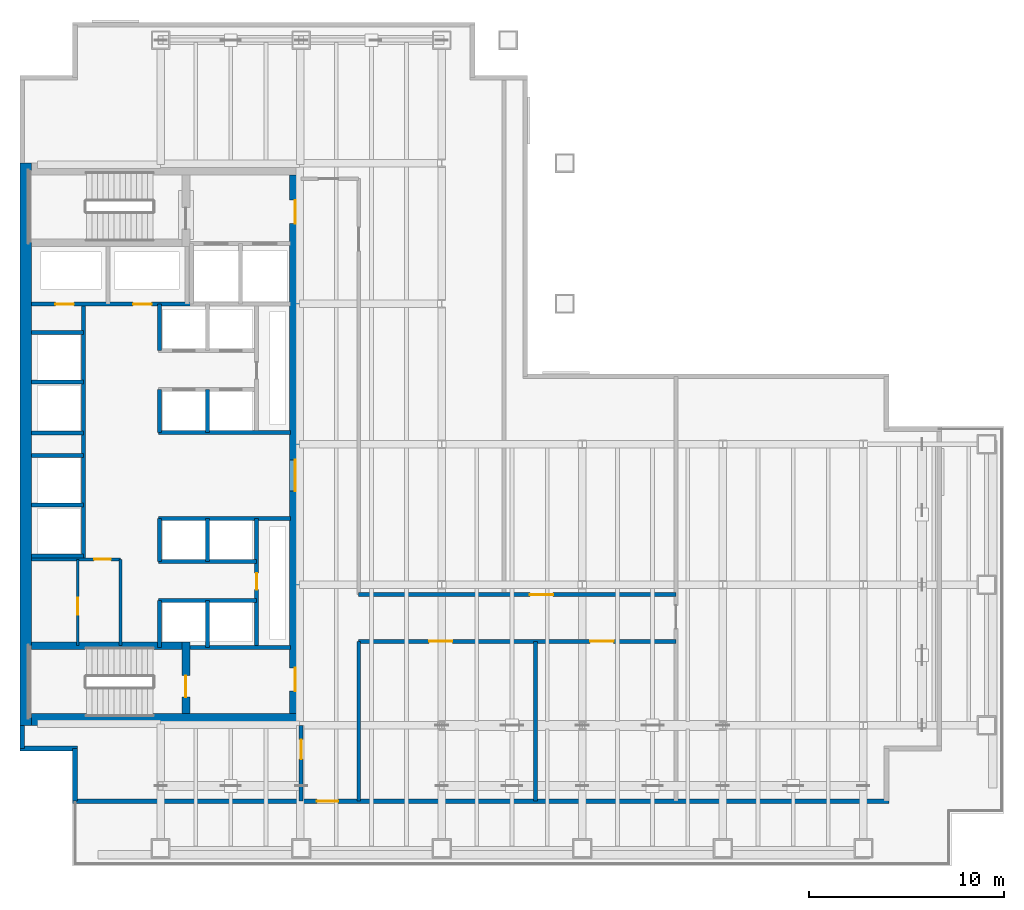
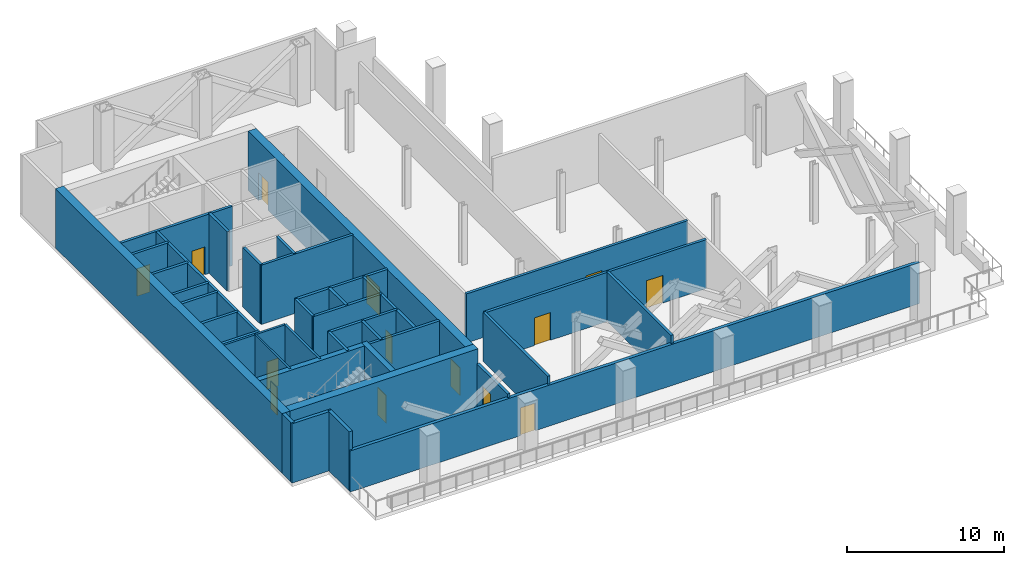
# One storey, part 5 of 9: 38 walls, 14 doors, 14 openings.
"""IFC4 building model written with IfcOpenShell, lengths in metres."""

from ifc_helpers import new_model, si_unit, direction, frame, frame_2d, origin, place, context, subcontext, project, spatial, rectangle, extrude, material, layer, layer_set, type_object, element, fill, save


model = new_model("IFC4")

# Units and contexts
model_context = context("Model", 3, precision=1e-05, world=origin(), true_north=direction((0.0, 1.0)))
body_context = subcontext(model_context, "Body", "Model", "MODEL_VIEW")
ifc_project = project(units=[si_unit("LENGTHUNIT", "METRE"), si_unit("AREAUNIT", "SQUARE_METRE"), si_unit("VOLUMEUNIT", "CUBIC_METRE"), si_unit("PLANEANGLEUNIT", "RADIAN"), si_unit("MASSUNIT", "GRAM", prefix="KILO")], contexts=[model_context])

# Site, building, storey
site_placement = place(None, origin())
site = spatial("IfcSite", under=ifc_project, at=site_placement, CompositionType="ELEMENT")
building_placement = place(site_placement, origin())
building = spatial("IfcBuilding", under=site, at=building_placement, Name="Cobrela Telecom Tower", CompositionType="ELEMENT")
storey_placement = place(building_placement, frame((0.0, 0.0, 92.75)))
storey = spatial("IfcBuildingStorey", under=building, at=storey_placement, Name="L23", CompositionType="ELEMENT", Elevation=92.75)

# Walls
ifc_material_1 = material(Name="Concrete C50/60", Category="concrete")
ifc_layer_1 = layer(ifc_material_1, 0.60009765625)
ifc_layer_set_1 = layer_set([ifc_layer_1], Name="Concrete C50/60")
wall_type_1 = type_object("IfcWallType", Name="WALL-CORE-C50-600", PredefinedType="SHEAR", material=ifc_layer_set_1)
wall_1_placement = place(storey_placement, frame((0.300048828125, 7.199951171875, 0.0), z_axis=(0.0, 0.0, 1.0), x_axis=(0.0, 1.0, 0.0)))
element("IfcWall", 1, at=wall_1_placement, inside=storey, type_object=wall_type_1, Name="L23 West Core Shear Wall", PredefinedType="SHEAR", context=body_context, shape_type="SweptSolid", body=[
    extrude(rectangle(XDim=28.800048828125, YDim=0.60009765625, at=frame_2d((14.39990234375, 0.0))), origin(), (0.0, 0.0, 1.0), 4.60009765625),
])
wall_2_placement = place(storey_placement, frame((0.60009765625, 7.5, 0.0), z_axis=(0.0, 0.0, 1.0), x_axis=(1.0, 0.0, 0.0)))
element("IfcWall", 2, at=wall_2_placement, inside=storey, type_object=wall_type_1, Name="L23 South Core Shear Wall", PredefinedType="SHEAR", context=body_context, shape_type="SweptSolid", body=[
    extrude(rectangle(XDim=13.7998046875, YDim=0.60009765625, at=frame_2d((6.89990234375, 0.0))), origin(), (0.0, 0.0, 1.0), 4.60009765625),
])

# Wall, openings, doors
wall_3_placement = place(storey_placement, frame((14.10009765625, 35.39990234375, 0.0), z_axis=(0.0, 0.0, 1.0), x_axis=(0.0, -1.0, 0.0)))
wall_3 = element("IfcWall", 3, at=wall_3_placement, inside=storey, type_object=wall_type_1, Name="L23 East Core Shear Wall", PredefinedType="SHEAR", context=body_context, shape_type="SweptSolid", body=[
    extrude(rectangle(XDim=27.599853515625, YDim=0.60009765625, at=frame_2d((13.7998046875, 0.0))), origin(), (0.0, 0.0, 1.0), 4.60009765625),
])
opening_1_placement = place(wall_3_placement, frame((1.300048828125, 0.0, 0.0)))
opening_1 = element("IfcOpeningElement", 4, at=opening_1_placement, cuts=wall_3, Name="Opening DR-19", PredefinedType="OPENING", context=body_context, shape_type="SweptSolid", body=[
    extrude(rectangle(XDim=1.199951171875, YDim=2.14990234375, at=frame_2d((0.60009765625, 1.074951171875))), frame((0.0, 0.31201171875, 0.0), z_axis=(0.0, -1.0, 0.0), x_axis=(1.0, 0.0, 0.0)), (0.0, 0.0, 1.0), 0.6240234375),
])
opening_2_placement = place(wall_3_placement, frame((25.25, 0.0, 0.0)))
opening_2 = element("IfcOpeningElement", 5, at=opening_2_placement, cuts=wall_3, Name="Opening DR-19", PredefinedType="OPENING", context=body_context, shape_type="SweptSolid", body=[
    extrude(rectangle(XDim=1.199951171875, YDim=2.14990234375, at=frame_2d((0.60009765625, 1.074951171875))), frame((0.0, 0.31201171875, 0.0), z_axis=(0.0, -1.0, 0.0), x_axis=(1.0, 0.0, 0.0)), (0.0, 0.0, 1.0), 0.6240234375),
])
opening_3_placement = place(wall_3_placement, frame((14.60009765625, 0.0, 0.0)))
opening_3 = element("IfcOpeningElement", 6, at=opening_3_placement, cuts=wall_3, Name="Opening DR-51", PredefinedType="OPENING", context=body_context, shape_type="SweptSolid", body=[
    extrude(rectangle(XDim=1.60009765625, YDim=2.199951171875, at=frame_2d((0.800048828125, 1.10009765625))), frame((0.0, 0.31201171875, 0.0), z_axis=(0.0, -1.0, 0.0), x_axis=(1.0, 0.0, 0.0)), (0.0, 0.0, 1.0), 0.6240234375),
])
ifc_material_2 = material(Name="Steel ASTM A36", Category="steel")
door_type_1 = type_object("IfcDoorType", Name="DOOR-FD60-1200", OperationType="SINGLE_SWING_LEFT", PredefinedType="DOOR", material=ifc_material_2)
door_1_placement = place(opening_1_placement, origin())
door_1 = element("IfcDoor", 7, at=door_1_placement, inside=storey, type_object=door_type_1, Name="L23 Door DR-19", OperationType="SINGLE_SWING_LEFT", OverallHeight=2.14990234375, OverallWidth=1.199951171875, PredefinedType="DOOR", context=body_context, shape_type="SweptSolid", body=[
    extrude(rectangle(XDim=1.199951171875, YDim=2.14990234375, at=frame_2d((0.60009765625, 1.074951171875))), frame((0.0, 0.02490234375, 0.0), z_axis=(0.0, -1.0, 0.0), x_axis=(1.0, 0.0, 0.0)), (0.0, 0.0, 1.0), 0.050048828125),
])
fill(opening_1, door_1)
door_2_placement = place(opening_2_placement, origin())
door_2 = element("IfcDoor", 8, at=door_2_placement, inside=storey, type_object=door_type_1, Name="L23 Door DR-19", OperationType="SINGLE_SWING_RIGHT", OverallHeight=2.14990234375, OverallWidth=1.199951171875, PredefinedType="DOOR", context=body_context, shape_type="SweptSolid", body=[
    extrude(rectangle(XDim=1.199951171875, YDim=2.14990234375, at=frame_2d((0.60009765625, 1.074951171875))), frame((0.0, 0.02490234375, 0.0), z_axis=(0.0, -1.0, 0.0), x_axis=(1.0, 0.0, 0.0)), (0.0, 0.0, 1.0), 0.050048828125),
])
fill(opening_2, door_2)
door_type_2 = type_object("IfcDoorType", Name="DOOR-FD60-1600", OperationType="SINGLE_SWING_LEFT", PredefinedType="DOOR", material=ifc_material_2)
door_3_placement = place(opening_3_placement, origin())
door_3 = element("IfcDoor", 9, at=door_3_placement, inside=storey, type_object=door_type_2, Name="L23 Door DR-51", OperationType="DOUBLE_DOOR_SINGLE_SWING", OverallHeight=2.199951171875, OverallWidth=1.60009765625, PredefinedType="DOOR", context=body_context, shape_type="SweptSolid", body=[
    extrude(rectangle(XDim=1.60009765625, YDim=2.199951171875, at=frame_2d((0.800048828125, 1.10009765625))), frame((0.0, 0.02490234375, 0.0), z_axis=(0.0, -1.0, 0.0), x_axis=(1.0, 0.0, 0.0)), (0.0, 0.0, 1.0), 0.050048828125),
])
fill(opening_3, door_3)

# Walls
ifc_material_3 = material(Name="Concrete C40/50", Category="concrete")
ifc_layer_2 = layer(ifc_material_3, 0.239990234375)
ifc_layer_set_2 = layer_set([ifc_layer_2], Name="Concrete C40/50")
wall_type_2 = type_object("IfcWallType", Name="WALL-EXT-300", PredefinedType="STANDARD", material=ifc_layer_set_2)
wall_4_placement = place(storey_placement, frame((2.820068359375, 3.320068359375, 0.0), z_axis=(0.0, 0.0, 1.0), x_axis=(0.0, 1.0, 0.0)))
element("IfcWall", 10, at=wall_4_placement, inside=storey, type_object=wall_type_2, Name="L23 Plant Acoustic Exterior Wall 01", PredefinedType="STANDARD", context=body_context, shape_type="SweptSolid", body=[
    extrude(rectangle(XDim=2.699951171875, YDim=0.239990234375, at=frame_2d((1.35009765625, 0.0))), origin(), (0.0, 0.0, 1.0), 4.60009765625),
])
wall_5_placement = place(storey_placement, frame((2.93994140625, 6.02001953125, 0.0), z_axis=(0.0, 0.0, 1.0), x_axis=(-1.0, 0.0, 0.0)))
element("IfcWall", 11, at=wall_5_placement, inside=storey, type_object=wall_type_2, Name="L23 Plant Acoustic Exterior Wall 02", PredefinedType="STANDARD", context=body_context, shape_type="SweptSolid", body=[
    extrude(rectangle(XDim=2.93994140625, YDim=0.239990234375, at=frame_2d((1.469970703125, 0.0))), origin(), (0.0, 0.0, 1.0), 4.60009765625),
])
wall_6_placement = place(storey_placement, frame((0.1201171875, 6.02001953125, 0.0), z_axis=(0.0, 0.0, 1.0), x_axis=(0.0, 1.0, 0.0)))
element("IfcWall", 12, at=wall_6_placement, inside=storey, type_object=wall_type_2, Name="L23 Plant Acoustic Exterior Wall 03", PredefinedType="STANDARD", context=body_context, shape_type="SweptSolid", body=[
    extrude(rectangle(XDim=1.179931640625, YDim=0.239990234375, at=frame_2d((0.58984375, 0.0))), origin(), (0.0, 0.0, 1.0), 4.60009765625),
])

# Wall, opening, door
wall_7_placement = place(storey_placement, frame((44.5, 3.320068359375, 0.0), z_axis=(0.0, 0.0, 1.0), x_axis=(-1.0, 0.0, 0.0)))
wall_7 = element("IfcWall", 13, at=wall_7_placement, inside=storey, type_object=wall_type_2, Name="L23 Plant Acoustic Exterior Wall 17", PredefinedType="STANDARD", context=body_context, shape_type="SweptSolid", body=[
    extrude(rectangle(XDim=41.800048828125, YDim=0.239990234375, at=frame_2d((20.89990234375, 0.0))), origin(), (0.0, 0.0, 1.0), 3.18505859375),
])
opening_4_placement = place(wall_7_placement, frame((28.199951171875, 0.0, 0.0)))
opening_4 = element("IfcOpeningElement", 14, at=opening_4_placement, cuts=wall_7, Name="Opening ED-3", PredefinedType="OPENING", context=body_context, shape_type="SweptSolid", body=[
    extrude(rectangle(XDim=1.10009765625, YDim=2.14990234375, at=frame_2d((0.550048828125, 1.074951171875))), frame((0.0, 0.1318359375, 0.0), z_axis=(0.0, -1.0, 0.0), x_axis=(1.0, 0.0, 0.0)), (0.0, 0.0, 1.0), 0.263916015625),
])
ifc_material_4 = material(Name="Anodized Bronze Aluminium 6063-T6", Category="aluminium")
door_type_3 = type_object("IfcDoorType", Name="DOOR-EXT-1100", OperationType="SINGLE_SWING_LEFT", PredefinedType="DOOR", material=ifc_material_4)
door_4_placement = place(opening_4_placement, origin())
door_4 = element("IfcDoor", 15, at=door_4_placement, inside=storey, type_object=door_type_3, Name="L23 Door ED-3", OperationType="SINGLE_SWING_LEFT", OverallHeight=2.14990234375, OverallWidth=1.10009765625, PredefinedType="DOOR", context=body_context, shape_type="SweptSolid", body=[
    extrude(rectangle(XDim=1.10009765625, YDim=2.14990234375, at=frame_2d((0.550048828125, 1.074951171875))), frame((0.0, 0.02490234375, 0.0), z_axis=(0.0, -1.0, 0.0), x_axis=(1.0, 0.0, 0.0)), (0.0, 0.0, 1.0), 0.050048828125),
])
fill(opening_4, door_4)

ifc_material_5 = material(Name="Fire-Rated Gypsum Plasterboard")
ifc_layer_3 = layer(ifc_material_5, 0.125)
ifc_layer_set_3 = layer_set([ifc_layer_3], Name="Fire-Rated Gypsum Plasterboard")
wall_type_3 = type_object("IfcWallType", Name="WALL-PART-125", PredefinedType="PARTITIONING", material=ifc_layer_set_3)
wall_8_placement = place(storey_placement, frame((2.949951171875, 11.280029296875, 0.0), z_axis=(0.0, 0.0, 1.0), x_axis=(0.0, 1.0, 0.0)))
wall_8 = element("IfcWall", 16, at=wall_8_placement, inside=storey, type_object=wall_type_3, Name="L23 Interior Partition CW-FK1-V", PredefinedType="PARTITIONING", context=body_context, shape_type="SweptSolid", body=[
    extrude(rectangle(XDim=4.419921875, YDim=0.125, at=frame_2d((2.2099609375, 0.0))), origin(), (0.0, 0.0, 1.0), 4.60009765625),
])
opening_5_placement = place(wall_8_placement, frame((1.60009765625, 0.0, 0.0)))
opening_5 = element("IfcOpeningElement", 17, at=opening_5_placement, cuts=wall_8, Name="Opening DR-11", PredefinedType="OPENING", context=body_context, shape_type="SweptSolid", body=[
    extrude(rectangle(XDim=0.85009765625, YDim=2.14990234375, at=frame_2d((0.425048828125, 1.074951171875))), frame((0.0, 0.074462890625, 0.0), z_axis=(0.0, -1.0, 0.0), x_axis=(1.0, 0.0, 0.0)), (0.0, 0.0, 1.0), 0.14892578125),
])
ifc_material_6 = material(Name="Solid Engineered Oak Timber", Category="wood")
door_type_4 = type_object("IfcDoorType", Name="DOOR-INT-850", OperationType="SINGLE_SWING_LEFT", PredefinedType="DOOR", material=ifc_material_6)
door_5_placement = place(opening_5_placement, origin())
door_5 = element("IfcDoor", 18, at=door_5_placement, inside=storey, type_object=door_type_4, Name="L23 Door DR-11", OperationType="SINGLE_SWING_RIGHT", OverallHeight=2.14990234375, OverallWidth=0.85009765625, PredefinedType="DOOR", context=body_context, shape_type="SweptSolid", body=[
    extrude(rectangle(XDim=0.85009765625, YDim=2.14990234375, at=frame_2d((0.425048828125, 1.074951171875))), frame((0.0, 0.02490234375, 0.0), z_axis=(0.0, -1.0, 0.0), x_axis=(1.0, 0.0, 0.0)), (0.0, 0.0, 1.0), 0.050048828125),
])
fill(opening_5, door_5)

# Wall
ifc_layer_4 = layer(ifc_material_5, 0.14990234375)
ifc_layer_set_4 = layer_set([ifc_layer_4], Name="Fire-Rated Gypsum Plasterboard")
wall_type_4 = type_object("IfcWallType", Name="WALL-PART-150", PredefinedType="PARTITIONING", material=ifc_layer_set_4)
wall_9_placement = place(storey_placement, frame((5.14990234375, 11.280029296875, 0.0), z_axis=(0.0, 0.0, 1.0), x_axis=(0.0, 1.0, 0.0)))
element("IfcWall", 19, at=wall_9_placement, inside=storey, type_object=wall_type_4, Name="L23 Interior Partition CW-FLEX-E", PredefinedType="PARTITIONING", context=body_context, shape_type="SweptSolid", body=[
    extrude(rectangle(XDim=4.419921875, YDim=0.14990234375, at=frame_2d((2.2099609375, 0.0))), origin(), (0.0, 0.0, 1.0), 4.60009765625),
])

# Wall, opening, door
ifc_layer_5 = layer(ifc_material_5, 0.159912109375)
ifc_layer_set_5 = layer_set([ifc_layer_5], Name="Fire-Rated Gypsum Plasterboard")
wall_type_5 = type_object("IfcWallType", Name="WALL-PART-160", PredefinedType="PARTITIONING", material=ifc_layer_set_5)
wall_10_placement = place(storey_placement, frame((0.60009765625, 15.699951171875, 0.0), z_axis=(0.0, 0.0, 1.0), x_axis=(1.0, 0.0, 0.0)))
wall_10 = element("IfcWall", 20, at=wall_10_placement, inside=storey, type_object=wall_type_5, Name="L23 Interior Partition CW-FLEX-N", PredefinedType="PARTITIONING", context=body_context, shape_type="SweptSolid", body=[
    extrude(rectangle(XDim=4.5498046875, YDim=0.159912109375, at=frame_2d((2.27490234375, 0.0))), origin(), (0.0, 0.0, 1.0), 4.60009765625),
])
opening_6_placement = place(wall_10_placement, frame((3.199951171875, 0.0, 0.0)))
opening_6 = element("IfcOpeningElement", 21, at=opening_6_placement, cuts=wall_10, Name="Opening DR-11", PredefinedType="OPENING", context=body_context, shape_type="SweptSolid", body=[
    extrude(rectangle(XDim=0.85009765625, YDim=2.14990234375, at=frame_2d((0.425048828125, 1.074951171875))), frame((0.0, 0.091796875, 0.0), z_axis=(0.0, -1.0, 0.0), x_axis=(1.0, 0.0, 0.0)), (0.0, 0.0, 1.0), 0.183837890625),
])
door_6_placement = place(opening_6_placement, origin())
door_6 = element("IfcDoor", 22, at=door_6_placement, inside=storey, type_object=door_type_4, Name="L23 Door DR-11", OperationType="SINGLE_SWING_LEFT", OverallHeight=2.14990234375, OverallWidth=0.85009765625, PredefinedType="DOOR", context=body_context, shape_type="SweptSolid", body=[
    extrude(rectangle(XDim=0.85009765625, YDim=2.14990234375, at=frame_2d((0.425048828125, 1.074951171875))), frame((0.0, 0.02490234375, 0.0), z_axis=(0.0, -1.0, 0.0), x_axis=(1.0, 0.0, 0.0)), (0.0, 0.0, 1.0), 0.050048828125),
])
fill(opening_6, door_6)

# Wall
ifc_layer_6 = layer(ifc_material_5, 0.199951171875)
ifc_layer_set_6 = layer_set([ifc_layer_6], Name="Fire-Rated Gypsum Plasterboard")
wall_type_6 = type_object("IfcWallType", Name="WALL-SHAFT-200", PredefinedType="PARTITIONING", material=ifc_layer_set_6)
wall_11_placement = place(storey_placement, frame((8.699951171875, 11.199951171875, 0.0), z_axis=(0.0, 0.0, 1.0), x_axis=(1.0, 0.0, 0.0)))
element("IfcWall", 23, at=wall_11_placement, inside=storey, type_object=wall_type_6, Name="L23 Shaft Enclosure CW-ST2L-N", PredefinedType="PARTITIONING", context=body_context, shape_type="SweptSolid", body=[
    extrude(rectangle(XDim=5.150146484375, YDim=0.199951171875, at=frame_2d((2.5751953125, 0.0))), origin(), (0.0, 0.0, 1.0), 4.60009765625),
])

# Wall, openings, doors
wall_12_placement = place(storey_placement, frame((0.60009765625, 28.780029296875, 0.0), z_axis=(0.0, 0.0, 1.0), x_axis=(1.0, 0.0, 0.0)))
wall_12 = element("IfcWall", 24, at=wall_12_placement, inside=storey, type_object=wall_type_6, Name="L23 Shaft Enclosure CW-RIS-S", PredefinedType="PARTITIONING", context=body_context, shape_type="SweptSolid", body=[
    extrude(rectangle(XDim=8.179931640625, YDim=0.199951171875, at=frame_2d((4.08984375, 0.0))), origin(), (0.0, 0.0, 1.0), 4.60009765625),
])
opening_7_placement = place(wall_12_placement, frame((1.2099609375, 0.0, 0.0)))
opening_7 = element("IfcOpeningElement", 25, at=opening_7_placement, cuts=wall_12, Name="Opening DR-65", PredefinedType="OPENING", context=body_context, shape_type="SweptSolid", body=[
    extrude(rectangle(XDim=0.949951171875, YDim=2.14990234375, at=frame_2d((0.47509765625, 1.074951171875))), frame((0.0, 0.11181640625, 0.0), z_axis=(0.0, -1.0, 0.0), x_axis=(1.0, 0.0, 0.0)), (0.0, 0.0, 1.0), 0.223876953125),
])
opening_8_placement = place(wall_12_placement, frame((5.18994140625, 0.0, 0.0)))
opening_8 = element("IfcOpeningElement", 26, at=opening_8_placement, cuts=wall_12, Name="Opening DR-65", PredefinedType="OPENING", context=body_context, shape_type="SweptSolid", body=[
    extrude(rectangle(XDim=0.949951171875, YDim=2.14990234375, at=frame_2d((0.47509765625, 1.074951171875))), frame((0.0, 0.11181640625, 0.0), z_axis=(0.0, -1.0, 0.0), x_axis=(1.0, 0.0, 0.0)), (0.0, 0.0, 1.0), 0.223876953125),
])
door_type_5 = type_object("IfcDoorType", Name="DOOR-FD60-950", OperationType="SINGLE_SWING_LEFT", PredefinedType="DOOR", material=ifc_material_2)
door_7_placement = place(opening_7_placement, origin())
door_7 = element("IfcDoor", 27, at=door_7_placement, inside=storey, type_object=door_type_5, Name="L23 Door DR-65", OperationType="SINGLE_SWING_LEFT", OverallHeight=2.14990234375, OverallWidth=0.949951171875, PredefinedType="DOOR", context=body_context, shape_type="SweptSolid", body=[
    extrude(rectangle(XDim=0.949951171875, YDim=2.14990234375, at=frame_2d((0.47509765625, 1.074951171875))), frame((0.0, 0.02490234375, 0.0), z_axis=(0.0, -1.0, 0.0), x_axis=(1.0, 0.0, 0.0)), (0.0, 0.0, 1.0), 0.050048828125),
])
fill(opening_7, door_7)
door_8_placement = place(opening_8_placement, origin())
door_8 = element("IfcDoor", 28, at=door_8_placement, inside=storey, type_object=door_type_5, Name="L23 Door DR-65", OperationType="SINGLE_SWING_RIGHT", OverallHeight=2.14990234375, OverallWidth=0.949951171875, PredefinedType="DOOR", context=body_context, shape_type="SweptSolid", body=[
    extrude(rectangle(XDim=0.949951171875, YDim=2.14990234375, at=frame_2d((0.47509765625, 1.074951171875))), frame((0.0, 0.02490234375, 0.0), z_axis=(0.0, -1.0, 0.0), x_axis=(1.0, 0.0, 0.0)), (0.0, 0.0, 1.0), 0.050048828125),
])
fill(opening_8, door_8)

# Walls
wall_13_placement = place(storey_placement, frame((3.25, 15.699951171875, 0.0), z_axis=(0.0, 0.0, 1.0), x_axis=(0.0, 1.0, 0.0)))
element("IfcWall", 29, at=wall_13_placement, inside=storey, type_object=wall_type_6, Name="L23 Shaft Enclosure CW-PLH-E", PredefinedType="PARTITIONING", context=body_context, shape_type="SweptSolid", body=[
    extrude(rectangle(XDim=13.080078125, YDim=0.199951171875, at=frame_2d((6.5400390625, 0.0))), origin(), (0.0, 0.0, 1.0), 4.60009765625),
])
for number, where, z_axis, x_axis, name in (
    (30, (0.60009765625, 15.8798828125, 0.0), (0.0, 0.0, 1.0), (1.0, 0.0, 0.0), "L23 Shaft Enclosure CW-PLH-D9"),
    (31, (0.60009765625, 18.47998046875, 0.0), (0.0, 0.0, 1.0), (1.0, 0.0, 0.0), "L23 Shaft Enclosure CW-PLH-D10"),
    (32, (0.60009765625, 22.179931640625, 0.0), (0.0, 0.0, 1.0), (1.0, 0.0, 0.0), "L23 Shaft Enclosure CW-PLH-D11"),
    (33, (0.60009765625, 24.780029296875, 0.0), (0.0, 0.0, 1.0), (1.0, 0.0, 0.0), "L23 Shaft Enclosure CW-PLH-D12"),
    (34, (0.60009765625, 21.02001953125, 0.0), (0.0, 0.0, 1.0), (1.0, 0.0, 0.0), "L23 Shaft Enclosure CW-PLH-MID"),
    (35, (0.60009765625, 27.320068359375, 0.0), (0.0, 0.0, 1.0), (1.0, 0.0, 0.0), "L23 Shaft Enclosure CW-PLH-TOP"),
):
    element("IfcWall", number, at=place(storey_placement, frame(where, z_axis=z_axis, x_axis=x_axis)), inside=storey, type_object=wall_type_6, Name=name, PredefinedType="PARTITIONING", context=body_context, shape_type="SweptSolid", body=[
        extrude(rectangle(XDim=2.64990234375, YDim=0.199951171875, at=frame_2d((1.324951171875, 0.0))), origin(), (0.0, 0.0, 1.0), 4.60009765625),
    ])
wall_14_placement = place(storey_placement, frame((7.10009765625, 22.199951171875, 0.0), z_axis=(0.0, 0.0, 1.0), x_axis=(1.0, 0.0, 0.0)))
element("IfcWall", 36, at=wall_14_placement, inside=storey, type_object=wall_type_6, Name="L23 Shaft Enclosure CW-PLL-B0", PredefinedType="PARTITIONING", context=body_context, shape_type="SweptSolid", body=[
    extrude(rectangle(XDim=6.75, YDim=0.199951171875, at=frame_2d((3.375, 0.0))), origin(), (0.0, 0.0, 1.0), 4.60009765625),
])
wall_15_placement = place(storey_placement, frame((7.14990234375, 22.199951171875, 0.0), z_axis=(0.0, 0.0, 1.0), x_axis=(0.0, 1.0, 0.0)))
element("IfcWall", 37, at=wall_15_placement, inside=storey, type_object=wall_type_6, Name="L23 Shaft Enclosure CW-PLL-V1", PredefinedType="PARTITIONING", context=body_context, shape_type="SweptSolid", body=[
    extrude(rectangle(XDim=2.199951171875, YDim=0.199951171875, at=frame_2d((1.10009765625, 0.0))), origin(), (0.0, 0.0, 1.0), 4.60009765625),
])
wall_16_placement = place(storey_placement, frame((7.14990234375, 26.39990234375, 0.0), z_axis=(0.0, 0.0, 1.0), x_axis=(0.0, 1.0, 0.0)))
element("IfcWall", 38, at=wall_16_placement, inside=storey, type_object=wall_type_6, Name="L23 Shaft Enclosure CW-PLL-V1B", PredefinedType="PARTITIONING", context=body_context, shape_type="SweptSolid", body=[
    extrude(rectangle(XDim=2.380126953125, YDim=0.199951171875, at=frame_2d((1.18994140625, 0.0))), origin(), (0.0, 0.0, 1.0), 4.60009765625),
])
wall_17_placement = place(storey_placement, frame((9.60009765625, 22.199951171875, 0.0), z_axis=(0.0, 0.0, 1.0), x_axis=(0.0, 1.0, 0.0)))
element("IfcWall", 39, at=wall_17_placement, inside=storey, type_object=wall_type_6, Name="L23 Shaft Enclosure CW-PLL-V2", PredefinedType="PARTITIONING", context=body_context, shape_type="SweptSolid", body=[
    extrude(rectangle(XDim=2.199951171875, YDim=0.199951171875, at=frame_2d((1.10009765625, 0.0))), origin(), (0.0, 0.0, 1.0), 4.60009765625),
])
wall_18_placement = place(storey_placement, frame((7.10009765625, 17.800048828125, 0.0), z_axis=(0.0, 0.0, 1.0), x_axis=(1.0, 0.0, 0.0)))
element("IfcWall", 40, at=wall_18_placement, inside=storey, type_object=wall_type_6, Name="L23 Shaft Enclosure CW-PLM-T0", PredefinedType="PARTITIONING", context=body_context, shape_type="SweptSolid", body=[
    extrude(rectangle(XDim=6.75, YDim=0.199951171875, at=frame_2d((3.375, 0.0))), origin(), (0.0, 0.0, 1.0), 4.60009765625),
])
for number, where, z_axis, x_axis, name in (
    (41, (7.10009765625, 15.60009765625, 0.0), (0.0, 0.0, 1.0), (1.0, 0.0, 0.0), "L23 Shaft Enclosure CW-PLM-N"),
    (42, (7.10009765625, 13.60009765625, 0.0), (0.0, 0.0, 1.0), (1.0, 0.0, 0.0), "L23 Shaft Enclosure CW-PLM-S"),
):
    element("IfcWall", number, at=place(storey_placement, frame(where, z_axis=z_axis, x_axis=x_axis)), inside=storey, type_object=wall_type_6, Name=name, PredefinedType="PARTITIONING", context=body_context, shape_type="SweptSolid", body=[
        extrude(rectangle(XDim=5.02001953125, YDim=0.199951171875, at=frame_2d((2.510009765625, 0.0))), origin(), (0.0, 0.0, 1.0), 4.60009765625),
    ])
wall_19_placement = place(storey_placement, frame((7.14990234375, 15.60009765625, 0.0), z_axis=(0.0, 0.0, 1.0), x_axis=(0.0, 1.0, 0.0)))
element("IfcWall", 43, at=wall_19_placement, inside=storey, type_object=wall_type_6, Name="L23 Shaft Enclosure CW-PLM-V1", PredefinedType="PARTITIONING", context=body_context, shape_type="SweptSolid", body=[
    extrude(rectangle(XDim=2.199951171875, YDim=0.199951171875, at=frame_2d((1.10009765625, 0.0))), origin(), (0.0, 0.0, 1.0), 4.60009765625),
])
wall_20_placement = place(storey_placement, frame((7.14990234375, 11.199951171875, 0.0), z_axis=(0.0, 0.0, 1.0), x_axis=(0.0, 1.0, 0.0)))
element("IfcWall", 44, at=wall_20_placement, inside=storey, type_object=wall_type_6, Name="L23 Shaft Enclosure CW-PLM-V1B", PredefinedType="PARTITIONING", context=body_context, shape_type="SweptSolid", body=[
    extrude(rectangle(XDim=2.400146484375, YDim=0.199951171875, at=frame_2d((1.2001953125, 0.0))), origin(), (0.0, 0.0, 1.0), 4.60009765625),
])
wall_21_placement = place(storey_placement, frame((9.60009765625, 15.60009765625, 0.0), z_axis=(0.0, 0.0, 1.0), x_axis=(0.0, 1.0, 0.0)))
element("IfcWall", 45, at=wall_21_placement, inside=storey, type_object=wall_type_6, Name="L23 Shaft Enclosure CW-PLM-V2", PredefinedType="PARTITIONING", context=body_context, shape_type="SweptSolid", body=[
    extrude(rectangle(XDim=2.199951171875, YDim=0.199951171875, at=frame_2d((1.10009765625, 0.0))), origin(), (0.0, 0.0, 1.0), 4.60009765625),
])
wall_22_placement = place(storey_placement, frame((9.60009765625, 11.199951171875, 0.0), z_axis=(0.0, 0.0, 1.0), x_axis=(0.0, 1.0, 0.0)))
element("IfcWall", 46, at=wall_22_placement, inside=storey, type_object=wall_type_6, Name="L23 Shaft Enclosure CW-PLM-V2B", PredefinedType="PARTITIONING", context=body_context, shape_type="SweptSolid", body=[
    extrude(rectangle(XDim=2.400146484375, YDim=0.199951171875, at=frame_2d((1.2001953125, 0.0))), origin(), (0.0, 0.0, 1.0), 4.60009765625),
])

# Wall, opening, door
wall_23_placement = place(storey_placement, frame((12.1201171875, 11.199951171875, 0.0), z_axis=(0.0, 0.0, 1.0), x_axis=(0.0, 1.0, 0.0)))
wall_23 = element("IfcWall", 47, at=wall_23_placement, inside=storey, type_object=wall_type_6, Name="L23 Shaft Enclosure CW-PLM-V3", PredefinedType="PARTITIONING", context=body_context, shape_type="SweptSolid", body=[
    extrude(rectangle(XDim=6.60009765625, YDim=0.199951171875, at=frame_2d((3.300048828125, 0.0))), origin(), (0.0, 0.0, 1.0), 4.60009765625),
])
opening_9_placement = place(wall_23_placement, frame((2.949951171875, 0.0, 0.0)))
opening_9 = element("IfcOpeningElement", 48, at=opening_9_placement, cuts=wall_23, Name="Opening DR-11", PredefinedType="OPENING", context=body_context, shape_type="SweptSolid", body=[
    extrude(rectangle(XDim=0.85009765625, YDim=2.14990234375, at=frame_2d((0.425048828125, 1.074951171875))), frame((0.0, 0.11181640625, 0.0), z_axis=(0.0, -1.0, 0.0), x_axis=(1.0, 0.0, 0.0)), (0.0, 0.0, 1.0), 0.223876953125),
])
door_9_placement = place(opening_9_placement, origin())
door_9 = element("IfcDoor", 49, at=door_9_placement, inside=storey, type_object=door_type_4, Name="L23 Door DR-11", OperationType="SINGLE_SWING_RIGHT", OverallHeight=2.14990234375, OverallWidth=0.85009765625, PredefinedType="DOOR", context=body_context, shape_type="SweptSolid", body=[
    extrude(rectangle(XDim=0.85009765625, YDim=2.14990234375, at=frame_2d((0.425048828125, 1.074951171875))), frame((0.0, 0.02490234375, 0.0), z_axis=(0.0, -1.0, 0.0), x_axis=(1.0, 0.0, 0.0)), (0.0, 0.0, 1.0), 0.050048828125),
])
fill(opening_9, door_9)

wall_24_placement = place(storey_placement, frame((14.39990234375, 3.320068359375, 0.0), z_axis=(0.0, 0.0, 1.0), x_axis=(0.0, 1.0, 0.0)))
wall_24 = element("IfcWall", 50, at=wall_24_placement, inside=storey, type_object=wall_type_6, Name="L23 Shaft Enclosure W-MP-SWW", PredefinedType="PARTITIONING", context=body_context, shape_type="SweptSolid", body=[
    extrude(rectangle(XDim=3.8798828125, YDim=0.199951171875, at=frame_2d((1.93994140625, 0.0))), origin(), (0.0, 0.0, 1.0), 3.467041015625),
])
opening_10_placement = place(wall_24_placement, frame((2.14990234375, 0.0, 0.0)))
opening_10 = element("IfcOpeningElement", 51, at=opening_10_placement, cuts=wall_24, Name="Opening DR-15", PredefinedType="OPENING", context=body_context, shape_type="SweptSolid", body=[
    extrude(rectangle(XDim=1.0, YDim=2.14990234375, at=frame_2d((0.5, 1.074951171875))), frame((0.0, 0.11181640625, 0.0), z_axis=(0.0, -1.0, 0.0), x_axis=(1.0, 0.0, 0.0)), (0.0, 0.0, 1.0), 0.223876953125),
])
door_type_6 = type_object("IfcDoorType", Name="DOOR-FD60-1000", OperationType="SINGLE_SWING_LEFT", PredefinedType="DOOR", material=ifc_material_2)
door_10_placement = place(opening_10_placement, origin())
door_10 = element("IfcDoor", 52, at=door_10_placement, inside=storey, type_object=door_type_6, Name="L23 Door DR-15", OperationType="SINGLE_SWING_LEFT", OverallHeight=2.14990234375, OverallWidth=1.0, PredefinedType="DOOR", context=body_context, shape_type="SweptSolid", body=[
    extrude(rectangle(XDim=1.0, YDim=2.14990234375, at=frame_2d((0.5, 1.074951171875))), frame((0.0, 0.02490234375, 0.0), z_axis=(0.0, -1.0, 0.0), x_axis=(1.0, 0.0, 0.0)), (0.0, 0.0, 1.0), 0.050048828125),
])
fill(opening_10, door_10)

# Wall
wall_25_placement = place(storey_placement, frame((17.35009765625, 3.320068359375, 0.0), z_axis=(0.0, 0.0, 1.0), x_axis=(0.0, 1.0, 0.0)))
element("IfcWall", 53, at=wall_25_placement, inside=storey, type_object=wall_type_6, Name="L23 Shaft Enclosure W-MP-E1", PredefinedType="PARTITIONING", context=body_context, shape_type="SweptSolid", body=[
    extrude(rectangle(XDim=8.179931640625, YDim=0.199951171875, at=frame_2d((4.08984375, 0.0))), origin(), (0.0, 0.0, 1.0), 3.81298828125),
])

# Wall, openings, doors
wall_26_placement = place(storey_placement, frame((17.35009765625, 11.5, 0.0), z_axis=(0.0, 0.0, 1.0), x_axis=(1.0, 0.0, 0.0)))
wall_26 = element("IfcWall", 54, at=wall_26_placement, inside=storey, type_object=wall_type_6, Name="L23 Shaft Enclosure W-MP-HS", PredefinedType="PARTITIONING", context=body_context, shape_type="SweptSolid", body=[
    extrude(rectangle(XDim=16.25, YDim=0.199951171875, at=frame_2d((8.125, 0.0))), origin(), (0.0, 0.0, 1.0), 3.81298828125),
])
opening_11_placement = place(wall_26_placement, frame((3.60009765625, 0.0, 0.0)))
opening_11 = element("IfcOpeningElement", 55, at=opening_11_placement, cuts=wall_26, Name="Opening DR-19", PredefinedType="OPENING", context=body_context, shape_type="SweptSolid", body=[
    extrude(rectangle(XDim=1.199951171875, YDim=2.14990234375, at=frame_2d((0.60009765625, 1.074951171875))), frame((0.0, 0.11181640625, 0.0), z_axis=(0.0, -1.0, 0.0), x_axis=(1.0, 0.0, 0.0)), (0.0, 0.0, 1.0), 0.223876953125),
])
opening_12_placement = place(wall_26_placement, frame((11.85009765625, 0.0, 0.0)))
opening_12 = element("IfcOpeningElement", 56, at=opening_12_placement, cuts=wall_26, Name="Opening DR-19", PredefinedType="OPENING", context=body_context, shape_type="SweptSolid", body=[
    extrude(rectangle(XDim=1.199951171875, YDim=2.14990234375, at=frame_2d((0.60009765625, 1.074951171875))), frame((0.0, 0.11181640625, 0.0), z_axis=(0.0, -1.0, 0.0), x_axis=(1.0, 0.0, 0.0)), (0.0, 0.0, 1.0), 0.223876953125),
])
door_11_placement = place(opening_11_placement, origin())
door_11 = element("IfcDoor", 57, at=door_11_placement, inside=storey, type_object=door_type_1, Name="L23 Door DR-19", OperationType="SINGLE_SWING_LEFT", OverallHeight=2.14990234375, OverallWidth=1.199951171875, PredefinedType="DOOR", context=body_context, shape_type="SweptSolid", body=[
    extrude(rectangle(XDim=1.199951171875, YDim=2.14990234375, at=frame_2d((0.60009765625, 1.074951171875))), frame((0.0, 0.02490234375, 0.0), z_axis=(0.0, -1.0, 0.0), x_axis=(1.0, 0.0, 0.0)), (0.0, 0.0, 1.0), 0.050048828125),
])
fill(opening_11, door_11)
door_12_placement = place(opening_12_placement, origin())
door_12 = element("IfcDoor", 58, at=door_12_placement, inside=storey, type_object=door_type_1, Name="L23 Door DR-19", OperationType="SINGLE_SWING_RIGHT", OverallHeight=2.14990234375, OverallWidth=1.199951171875, PredefinedType="DOOR", context=body_context, shape_type="SweptSolid", body=[
    extrude(rectangle(XDim=1.199951171875, YDim=2.14990234375, at=frame_2d((0.60009765625, 1.074951171875))), frame((0.0, 0.02490234375, 0.0), z_axis=(0.0, -1.0, 0.0), x_axis=(1.0, 0.0, 0.0)), (0.0, 0.0, 1.0), 0.050048828125),
])
fill(opening_12, door_12)

# Wall, opening, door
wall_27_placement = place(storey_placement, frame((17.35009765625, 13.89990234375, 0.0), z_axis=(0.0, 0.0, 1.0), x_axis=(1.0, 0.0, 0.0)))
wall_27 = element("IfcWall", 59, at=wall_27_placement, inside=storey, type_object=wall_type_6, Name="L23 Shaft Enclosure W-MP-HN", PredefinedType="PARTITIONING", context=body_context, shape_type="SweptSolid", body=[
    extrude(rectangle(XDim=16.25, YDim=0.199951171875, at=frame_2d((8.125, 0.0))), origin(), (0.0, 0.0, 1.0), 3.81298828125),
])
opening_13_placement = place(wall_27_placement, frame((8.760009765625, 0.0, 0.0)))
opening_13 = element("IfcOpeningElement", 60, at=opening_13_placement, cuts=wall_27, Name="Opening DR-19", PredefinedType="OPENING", context=body_context, shape_type="SweptSolid", body=[
    extrude(rectangle(XDim=1.199951171875, YDim=2.14990234375, at=frame_2d((0.60009765625, 1.074951171875))), frame((0.0, 0.11181640625, 0.0), z_axis=(0.0, -1.0, 0.0), x_axis=(1.0, 0.0, 0.0)), (0.0, 0.0, 1.0), 0.223876953125),
])
door_13_placement = place(opening_13_placement, origin())
door_13 = element("IfcDoor", 61, at=door_13_placement, inside=storey, type_object=door_type_1, Name="L23 Door DR-19", OperationType="SINGLE_SWING_RIGHT", OverallHeight=2.14990234375, OverallWidth=1.199951171875, PredefinedType="DOOR", context=body_context, shape_type="SweptSolid", body=[
    extrude(rectangle(XDim=1.199951171875, YDim=2.14990234375, at=frame_2d((0.60009765625, 1.074951171875))), frame((0.0, 0.02490234375, 0.0), z_axis=(0.0, -1.0, 0.0), x_axis=(1.0, 0.0, 0.0)), (0.0, 0.0, 1.0), 0.050048828125),
])
fill(opening_13, door_13)

# Walls
wall_28_placement = place(storey_placement, frame((26.39990234375, 3.320068359375, 0.0), z_axis=(0.0, 0.0, 1.0), x_axis=(0.0, 1.0, 0.0)))
element("IfcWall", 62, at=wall_28_placement, inside=storey, type_object=wall_type_6, Name="L23 Shaft Enclosure W-MP-V1", PredefinedType="PARTITIONING", context=body_context, shape_type="SweptSolid", body=[
    extrude(rectangle(XDim=8.179931640625, YDim=0.199951171875, at=frame_2d((4.08984375, 0.0))), origin(), (0.0, 0.0, 1.0), 3.81298828125),
])
ifc_layer_7 = layer(ifc_material_3, 0.39990234375)
ifc_layer_set_7 = layer_set([ifc_layer_7], Name="Concrete C40/50")
wall_type_7 = type_object("IfcWallType", Name="WALL-SHAFT-C40-400", PredefinedType="SHEAR", material=ifc_layer_set_7)
wall_29_placement = place(storey_placement, frame((0.60009765625, 11.280029296875, 0.0), z_axis=(0.0, 0.0, 1.0), x_axis=(1.0, 0.0, 0.0)))
element("IfcWall", 63, at=wall_29_placement, inside=storey, type_object=wall_type_7, Name="L23 South Stair Shear Wall", PredefinedType="SHEAR", context=body_context, shape_type="SweptSolid", body=[
    extrude(rectangle(XDim=7.699951171875, YDim=0.39990234375, at=frame_2d((3.85009765625, 0.0))), origin(), (0.0, 0.0, 1.0), 4.60009765625),
])

# Wall, opening, door
wall_30_placement = place(storey_placement, frame((8.5, 7.800048828125, 0.0), z_axis=(0.0, 0.0, 1.0), x_axis=(0.0, 1.0, 0.0)))
wall_30 = element("IfcWall", 64, at=wall_30_placement, inside=storey, type_object=wall_type_7, Name="L23 South Stair Lobby Shear Wall", PredefinedType="SHEAR", context=body_context, shape_type="SweptSolid", body=[
    extrude(rectangle(XDim=3.679931640625, YDim=0.39990234375, at=frame_2d((1.83984375, 0.0))), origin(), (0.0, 0.0, 1.0), 4.60009765625),
])
opening_14_placement = place(wall_30_placement, frame((0.85009765625, 0.0, 0.0)))
opening_14 = element("IfcOpeningElement", 65, at=opening_14_placement, cuts=wall_30, Name="Opening FD-90", PredefinedType="OPENING", context=body_context, shape_type="SweptSolid", body=[
    extrude(rectangle(XDim=1.10009765625, YDim=2.14990234375, at=frame_2d((0.550048828125, 1.074951171875))), frame((0.0, 0.2119140625, 0.0), z_axis=(0.0, -1.0, 0.0), x_axis=(1.0, 0.0, 0.0)), (0.0, 0.0, 1.0), 0.423828125),
])
door_type_7 = type_object("IfcDoorType", Name="DOOR-FD90-1100", OperationType="SINGLE_SWING_LEFT", PredefinedType="DOOR", material=ifc_material_2)
door_14_placement = place(opening_14_placement, origin())
door_14 = element("IfcDoor", 66, at=door_14_placement, inside=storey, type_object=door_type_7, Name="L23 Door FD-90", OperationType="SINGLE_SWING_LEFT", OverallHeight=2.14990234375, OverallWidth=1.10009765625, PredefinedType="DOOR", context=body_context, shape_type="SweptSolid", body=[
    extrude(rectangle(XDim=1.10009765625, YDim=2.14990234375, at=frame_2d((0.550048828125, 1.074951171875))), frame((0.0, 0.02490234375, 0.0), z_axis=(0.0, -1.0, 0.0), x_axis=(1.0, 0.0, 0.0)), (0.0, 0.0, 1.0), 0.050048828125),
])
fill(opening_14, door_14)

save(model, "model.ifc")
